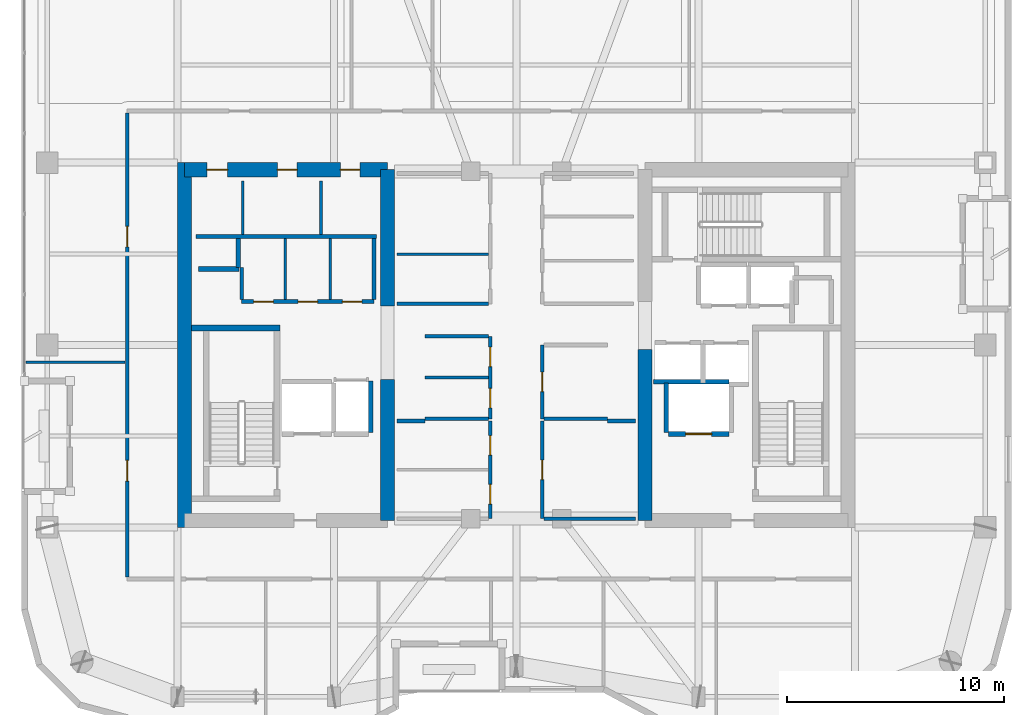
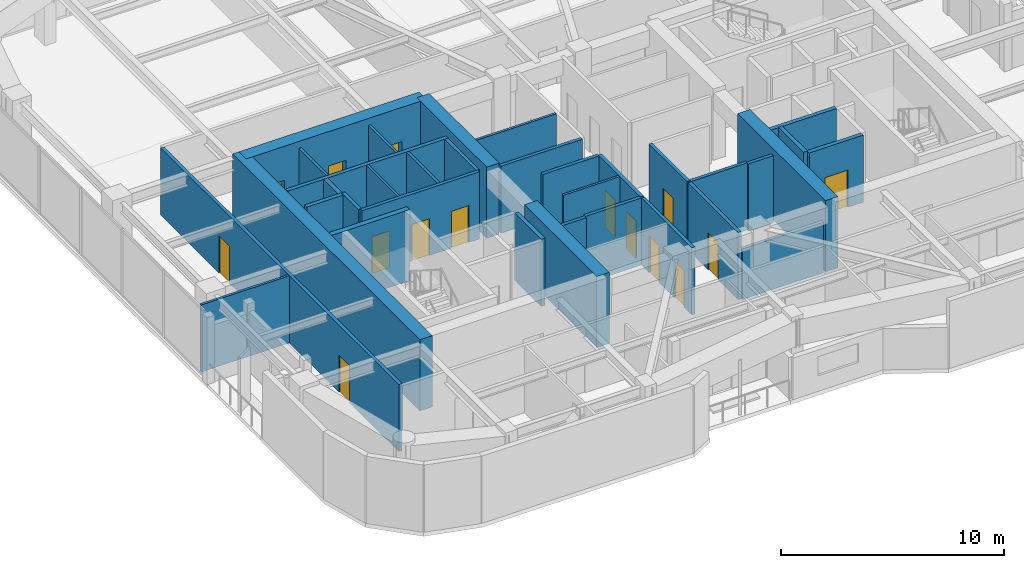
# One storey, part 16 of 21: 35 walls, 15 doors, 15 openings.
"""IFC4 building model written with IfcOpenShell, lengths in metres."""

from ifc_helpers import new_model, si_unit, direction, frame, frame_2d, origin, place, context, subcontext, project, spatial, rectangle, extrude, material, layer, layer_set, type_object, element, fill, save


model = new_model("IFC4")

# Units and contexts
model_context = context("Model", 3, precision=1e-05, world=origin(), true_north=direction((0.0, 1.0)))
body_context = subcontext(model_context, "Body", "Model", "MODEL_VIEW")
ifc_project = project(units=[si_unit("LENGTHUNIT", "METRE"), si_unit("AREAUNIT", "SQUARE_METRE"), si_unit("VOLUMEUNIT", "CUBIC_METRE"), si_unit("PLANEANGLEUNIT", "RADIAN"), si_unit("MASSUNIT", "GRAM", prefix="KILO")], contexts=[model_context])

# Site, building, storey
site_placement = place(None, origin())
site = spatial("IfcSite", under=ifc_project, at=site_placement, CompositionType="ELEMENT")
building_placement = place(site_placement, origin())
building = spatial("IfcBuilding", under=site, at=building_placement, Name="Kiyonajd Concourse Tower", CompositionType="ELEMENT")
storey_placement = place(building_placement, frame((0.0, 0.0, 247.199951171875)))
storey = spatial("IfcBuildingStorey", under=building, at=storey_placement, Name="L62", CompositionType="ELEMENT", Elevation=247.199951171875)

# Walls
ifc_material_1 = material(Name="Concrete C60/75", Category="concrete")
ifc_layer_1 = layer(ifc_material_1, 0.64990234375)
ifc_layer_set_1 = layer_set([ifc_layer_1], Name="Concrete C60/75")
wall_type_1 = type_object("IfcWallType", Name="WL-CORE-650", PredefinedType="SHEAR", material=ifc_layer_set_1)
wall_1_placement = place(storey_placement, frame((32.72509765625, 27.60009765625, 0.0), z_axis=(0.0, 0.0, 1.0), x_axis=(0.0, 1.0, 0.0)))
element("IfcWall", 1, at=wall_1_placement, inside=storey, type_object=wall_type_1, Name="L62 West Core Outer Shear Wall", PredefinedType="SHEAR", context=body_context, shape_type="SweptSolid", body=[
    extrude(rectangle(XDim=16.7998046875, YDim=0.64990234375, at=frame_2d((8.39990234375, 0.0))), origin(), (0.0, 0.0, 1.0), 3.900146484375),
])
wall_2_placement = place(storey_placement, frame((42.074951171875, 27.925048828125, 0.0), z_axis=(0.0, 0.0, 1.0), x_axis=(0.0, 1.0, 0.0)))
element("IfcWall", 2, at=wall_2_placement, inside=storey, type_object=wall_type_1, Name="L62 West Core Inner South Shear Wall", PredefinedType="SHEAR", context=body_context, shape_type="SweptSolid", body=[
    extrude(rectangle(XDim=6.474853515625, YDim=0.64990234375, at=frame_2d((3.2373046875, 0.0))), origin(), (0.0, 0.0, 1.0), 3.900146484375),
])
wall_3_placement = place(storey_placement, frame((42.074951171875, 37.800048828125, 0.0), z_axis=(0.0, 0.0, 1.0), x_axis=(0.0, 1.0, 0.0)))
element("IfcWall", 3, at=wall_3_placement, inside=storey, type_object=wall_type_1, Name="L62 West Core Inner North Shear Wall", PredefinedType="SHEAR", context=body_context, shape_type="SweptSolid", body=[
    extrude(rectangle(XDim=6.27490234375, YDim=0.64990234375, at=frame_2d((3.137451171875, 0.0))), origin(), (0.0, 0.0, 1.0), 3.900146484375),
])

# Wall, openings, doors
wall_4_placement = place(storey_placement, frame((32.72509765625, 44.074951171875, 0.0), z_axis=(0.0, 0.0, 1.0), x_axis=(1.0, 0.0, 0.0)))
wall_4 = element("IfcWall", 4, at=wall_4_placement, inside=storey, type_object=wall_type_1, Name="L62 West Core North Shear Wall", PredefinedType="SHEAR", context=body_context, shape_type="SweptSolid", body=[
    extrude(rectangle(XDim=9.349853515625, YDim=0.64990234375, at=frame_2d((4.6748046875, 0.0))), origin(), (0.0, 0.0, 1.0), 3.900146484375),
])
opening_1_placement = place(wall_4_placement, frame((1.02490234375, 0.0, 0.0)))
opening_1 = element("IfcOpeningElement", 5, at=opening_1_placement, cuts=wall_4, Name="Opening DI1", PredefinedType="OPENING", context=body_context, shape_type="SweptSolid", body=[
    extrude(rectangle(XDim=0.949951171875, YDim=2.0400390625, at=frame_2d((0.47509765625, 1.02001953125))), frame((0.0, 0.3349609375, 0.0), z_axis=(0.0, -1.0, 0.0), x_axis=(1.0, 0.0, 0.0)), (0.0, 0.0, 1.0), 0.669921875),
])
opening_2_placement = place(wall_4_placement, frame((4.27490234375, 0.0, 0.0)))
opening_2 = element("IfcOpeningElement", 6, at=opening_2_placement, cuts=wall_4, Name="Opening DI2", PredefinedType="OPENING", context=body_context, shape_type="SweptSolid", body=[
    extrude(rectangle(XDim=0.89990234375, YDim=2.02001953125, at=frame_2d((0.449951171875, 1.010009765625))), frame((0.0, 0.3349609375, 0.0), z_axis=(0.0, -1.0, 0.0), x_axis=(1.0, 0.0, 0.0)), (0.0, 0.0, 1.0), 0.669921875),
])
opening_3_placement = place(wall_4_placement, frame((7.175048828125, 0.0, 0.0)))
opening_3 = element("IfcOpeningElement", 7, at=opening_3_placement, cuts=wall_4, Name="Opening DI2", PredefinedType="OPENING", context=body_context, shape_type="SweptSolid", body=[
    extrude(rectangle(XDim=0.89990234375, YDim=2.02001953125, at=frame_2d((0.449951171875, 1.010009765625))), frame((0.0, 0.3349609375, 0.0), z_axis=(0.0, -1.0, 0.0), x_axis=(1.0, 0.0, 0.0)), (0.0, 0.0, 1.0), 0.669921875),
])
ifc_material_2 = material(Name="Natural Oak Acoustic Timber Veneer", Category="wood")
door_type_1 = type_object("IfcDoorType", Name="DR-INT-900", OperationType="NOTDEFINED", PredefinedType="DOOR", material=ifc_material_2)
door_1_placement = place(opening_2_placement, origin())
door_1 = element("IfcDoor", 8, at=door_1_placement, inside=storey, type_object=door_type_1, Name="L62 Male Restroom Door", OperationType="SINGLE_SWING_RIGHT", OverallHeight=2.02001953125, OverallWidth=0.89990234375, PredefinedType="DOOR", context=body_context, shape_type="SweptSolid", body=[
    extrude(rectangle(XDim=0.89990234375, YDim=2.02001953125, at=frame_2d((0.449951171875, 1.010009765625))), frame((0.0, 0.02490234375, 0.0), z_axis=(0.0, -1.0, 0.0), x_axis=(1.0, 0.0, 0.0)), (0.0, 0.0, 1.0), 0.050048828125),
])
fill(opening_2, door_1)
door_2_placement = place(opening_3_placement, origin())
door_2 = element("IfcDoor", 9, at=door_2_placement, inside=storey, type_object=door_type_1, Name="L62 Female Restroom Door", OperationType="SINGLE_SWING_LEFT", OverallHeight=2.02001953125, OverallWidth=0.89990234375, PredefinedType="DOOR", context=body_context, shape_type="SweptSolid", body=[
    extrude(rectangle(XDim=0.89990234375, YDim=2.02001953125, at=frame_2d((0.449951171875, 1.010009765625))), frame((0.0, 0.02490234375, 0.0), z_axis=(0.0, -1.0, 0.0), x_axis=(1.0, 0.0, 0.0)), (0.0, 0.0, 1.0), 0.050048828125),
])
fill(opening_3, door_2)
door_type_2 = type_object("IfcDoorType", Name="DR-INT-950", OperationType="NOTDEFINED", PredefinedType="DOOR", material=ifc_material_2)
door_3_placement = place(opening_1_placement, origin())
door_3 = element("IfcDoor", 10, at=door_3_placement, inside=storey, type_object=door_type_2, Name="L62 Single User Accessible WC Door", OperationType="SINGLE_SWING_LEFT", OverallHeight=2.0400390625, OverallWidth=0.949951171875, PredefinedType="DOOR", context=body_context, shape_type="SweptSolid", body=[
    extrude(rectangle(XDim=0.949951171875, YDim=2.0400390625, at=frame_2d((0.47509765625, 1.02001953125))), frame((0.0, 0.02490234375, 0.0), z_axis=(0.0, -1.0, 0.0), x_axis=(1.0, 0.0, 0.0)), (0.0, 0.0, 1.0), 0.050048828125),
])
fill(opening_1, door_3)

# Walls
wall_5_placement = place(storey_placement, frame((53.925048828125, 27.925048828125, 0.0), z_axis=(0.0, 0.0, 1.0), x_axis=(0.0, 1.0, 0.0)))
element("IfcWall", 11, at=wall_5_placement, inside=storey, type_object=wall_type_1, Name="L62 East Core Inner South Shear Wall", PredefinedType="SHEAR", context=body_context, shape_type="SweptSolid", body=[
    extrude(rectangle(XDim=7.875, YDim=0.64990234375, at=frame_2d((3.9375, 0.0))), origin(), (0.0, 0.0, 1.0), 3.900146484375),
])
ifc_material_3 = material(Name="Gypsum Board on Cold-Formed Steel Stud", Category="steel")
ifc_layer_2 = layer(ifc_material_3, 0.125)
ifc_layer_set_2 = layer_set([ifc_layer_2], Name="Gypsum Board on Cold-Formed Steel Stud")
wall_type_2 = type_object("IfcWallType", Name="WL-PART-125", PredefinedType="PARTITIONING", material=ifc_layer_set_2)
for number, where, z_axis, x_axis, name in (
    (12, (35.39990234375, 41.094970703125, 0.0), (0.0, 0.0, 1.0), (0.0, 1.0, 0.0), "L62 Interior Partition Wall"),
    (13, (39.0, 41.094970703125, 0.0), (0.0, 0.0, 1.0), (0.0, 1.0, 0.0), "L62 Interior Partition Wall"),
):
    element("IfcWall", number, at=place(storey_placement, frame(where, z_axis=z_axis, x_axis=x_axis)), inside=storey, type_object=wall_type_2, Name=name, PredefinedType="PARTITIONING", context=body_context, shape_type="SweptSolid", body=[
        extrude(rectangle(XDim=2.455078125, YDim=0.125, at=frame_2d((1.2275390625, 0.0))), origin(), (0.0, 0.0, 1.0), 3.679931640625),
    ])
for number, where, z_axis, x_axis, name in (
    (14, (37.363037109375, 38.0869140625, 0.0), (0.0, 0.0, 1.0), (0.0, 1.0, 0.0), "L62 Interior Partition Wall"),
    (15, (39.43701171875, 38.0869140625, 0.0), (0.0, 0.0, 1.0), (0.0, 1.0, 0.0), "L62 Interior Partition Wall"),
):
    element("IfcWall", number, at=place(storey_placement, frame(where, z_axis=z_axis, x_axis=x_axis)), inside=storey, type_object=wall_type_2, Name=name, PredefinedType="PARTITIONING", context=body_context, shape_type="SweptSolid", body=[
        extrude(rectangle(XDim=2.81298828125, YDim=0.125, at=frame_2d((1.406494140625, 0.0))), origin(), (0.0, 0.0, 1.0), 3.679931640625),
    ])
wall_6_placement = place(storey_placement, frame((43.800048828125, 34.5, 0.0), z_axis=(0.0, 0.0, 1.0), x_axis=(1.0, 0.0, 0.0)))
element("IfcWall", 16, at=wall_6_placement, inside=storey, type_object=wall_type_2, Name="L62 Interior Partition Wall", PredefinedType="PARTITIONING", context=body_context, shape_type="SweptSolid", body=[
    extrude(rectangle(XDim=2.912841796875, YDim=0.125, at=frame_2d((1.45654296875, 0.0))), origin(), (0.0, 0.0, 1.0), 3.679931640625),
])
wall_7_placement = place(storey_placement, frame((42.5, 40.179931640625, 0.0), z_axis=(0.0, 0.0, 1.0), x_axis=(1.0, 0.0, 0.0)))
element("IfcWall", 17, at=wall_7_placement, inside=storey, type_object=wall_type_2, Name="L62 Interior Partition Wall", PredefinedType="PARTITIONING", context=body_context, shape_type="SweptSolid", body=[
    extrude(rectangle(XDim=4.212890625, YDim=0.125, at=frame_2d((2.1064453125, 0.0))), origin(), (0.0, 0.0, 1.0), 3.679931640625),
])
wall_8_placement = place(storey_placement, frame((25.425048828125, 35.199951171875, 0.0), z_axis=(0.0, 0.0, 1.0), x_axis=(1.0, 0.0, 0.0)))
element("IfcWall", 18, at=wall_8_placement, inside=storey, type_object=wall_type_2, Name="L62 Interior Partition Wall", PredefinedType="PARTITIONING", context=body_context, shape_type="SweptSolid", body=[
    extrude(rectangle(XDim=4.56298828125, YDim=0.125, at=frame_2d((2.281494140625, 0.0))), origin(), (0.0, 0.0, 1.0), 3.679931640625),
])
ifc_layer_3 = layer(ifc_material_3, 0.18994140625)
ifc_layer_set_3 = layer_set([ifc_layer_3], Name="Gypsum Board on Cold-Formed Steel Stud")
wall_type_3 = type_object("IfcWallType", Name="WL-PLMB-190", PredefinedType="PLUMBINGWALL", material=ifc_layer_set_3)
wall_9_placement = place(storey_placement, frame((33.25, 41.0, 0.0), z_axis=(0.0, 0.0, 1.0), x_axis=(1.0, 0.0, 0.0)))
element("IfcWall", 19, at=wall_9_placement, inside=storey, type_object=wall_type_3, Name="L62 Interior Partition Wall", PredefinedType="PLUMBINGWALL", context=body_context, shape_type="SweptSolid", body=[
    extrude(rectangle(XDim=8.300048828125, YDim=0.18994140625, at=frame_2d((4.14990234375, 0.0))), origin(), (0.0, 0.0, 1.0), 3.679931640625),
])
ifc_layer_4 = layer(ifc_material_3, 0.2099609375)
ifc_layer_set_4 = layer_set([ifc_layer_4], Name="Gypsum Board on Cold-Formed Steel Stud")
wall_type_4 = type_object("IfcWallType", Name="WL-SHAFT-210", PredefinedType="PARTITIONING", material=ifc_layer_set_4)
wall_10_placement = place(storey_placement, frame((33.360107421875, 39.5, 0.0), z_axis=(0.0, 0.0, 1.0), x_axis=(1.0, 0.0, 0.0)))
element("IfcWall", 20, at=wall_10_placement, inside=storey, type_object=wall_type_4, Name="L62 Shaft Enclosure Wall", PredefinedType="PARTITIONING", context=body_context, shape_type="SweptSolid", body=[
    extrude(rectangle(XDim=1.85986328125, YDim=0.2099609375, at=frame_2d((0.929931640625, 0.0))), origin(), (0.0, 0.0, 1.0), 3.679931640625),
])
wall_11_placement = place(storey_placement, frame((35.199951171875, 39.580078125, 0.0), z_axis=(0.0, 0.0, 1.0), x_axis=(0.0, 1.0, 0.0)))
element("IfcWall", 21, at=wall_11_placement, inside=storey, type_object=wall_type_4, Name="L62 Shaft Enclosure Wall", PredefinedType="PARTITIONING", context=body_context, shape_type="SweptSolid", body=[
    extrude(rectangle(XDim=1.31982421875, YDim=0.2099609375, at=frame_2d((0.659912109375, 0.0))), origin(), (0.0, 0.0, 1.0), 3.679931640625),
])

# Wall, opening, door
wall_12_placement = place(storey_placement, frame((55.0, 31.89990234375, 0.0), z_axis=(0.0, 0.0, 1.0), x_axis=(1.0, 0.0, 0.0)))
wall_12 = element("IfcWall", 22, at=wall_12_placement, inside=storey, type_object=wall_type_4, Name="L62 Shaft Enclosure Wall", PredefinedType="PARTITIONING", context=body_context, shape_type="SweptSolid", body=[
    extrude(rectangle(XDim=2.800048828125, YDim=0.2099609375, at=frame_2d((1.39990234375, 0.0))), origin(), (0.0, 0.0, 1.0), 3.679931640625),
])
opening_4_placement = place(wall_12_placement, frame((0.800048828125, 0.0, 0.0)))
opening_4 = element("IfcOpeningElement", 23, at=opening_4_placement, cuts=wall_12, Name="Opening LD2", PredefinedType="OPENING", context=body_context, shape_type="SweptSolid", body=[
    extrude(rectangle(XDim=1.199951171875, YDim=2.0400390625, at=frame_2d((0.60009765625, 1.02001953125))), frame((0.0, 0.114990234375, 0.0), z_axis=(0.0, -1.0, 0.0), x_axis=(1.0, 0.0, 0.0)), (0.0, 0.0, 1.0), 0.22998046875),
])
ifc_material_4 = material(Name="Brushed Stainless Steel Cab Assembly", Category="steel")
door_type_3 = type_object("IfcDoorType", Name="DR-LD-1200", OperationType="DOUBLE_DOOR_SLIDING", PredefinedType="DOOR", material=ifc_material_4)
door_4_placement = place(opening_4_placement, origin())
door_4 = element("IfcDoor", 24, at=door_4_placement, inside=storey, type_object=door_type_3, Name="L62 Lift FFL2 Sliding Landing Door", OperationType="DOUBLE_DOOR_SLIDING", OverallHeight=2.0400390625, OverallWidth=1.199951171875, PredefinedType="DOOR", context=body_context, shape_type="SweptSolid", body=[
    extrude(rectangle(XDim=1.199951171875, YDim=2.0400390625, at=frame_2d((0.60009765625, 1.02001953125))), frame((0.0, 0.02490234375, 0.0), z_axis=(0.0, -1.0, 0.0), x_axis=(1.0, 0.0, 0.0)), (0.0, 0.0, 1.0), 0.050048828125),
])
fill(opening_4, door_4)

# Walls
wall_13_placement = place(storey_placement, frame((54.320068359375, 34.300048828125, 0.0), z_axis=(0.0, 0.0, 1.0), x_axis=(1.0, 0.0, 0.0)))
element("IfcWall", 25, at=wall_13_placement, inside=storey, type_object=wall_type_4, Name="L62 Shaft Enclosure Wall", PredefinedType="PARTITIONING", context=body_context, shape_type="SweptSolid", body=[
    extrude(rectangle(XDim=3.47998046875, YDim=0.2099609375, at=frame_2d((1.739990234375, 0.0))), origin(), (0.0, 0.0, 1.0), 3.679931640625),
])
wall_14_placement = place(storey_placement, frame((54.89990234375, 31.9599609375, 0.0), z_axis=(0.0, 0.0, 1.0), x_axis=(0.0, 1.0, 0.0)))
element("IfcWall", 26, at=wall_14_placement, inside=storey, type_object=wall_type_4, Name="L62 Shaft Enclosure Wall", PredefinedType="PARTITIONING", context=body_context, shape_type="SweptSolid", body=[
    extrude(rectangle(XDim=2.280029296875, YDim=0.2099609375, at=frame_2d((1.14013671875, 0.0))), origin(), (0.0, 0.0, 1.0), 3.679931640625),
])
wall_15_placement = place(storey_placement, frame((41.300048828125, 31.9599609375, 0.0), z_axis=(0.0, 0.0, 1.0), x_axis=(0.0, 1.0, 0.0)))
element("IfcWall", 27, at=wall_15_placement, inside=storey, type_object=wall_type_4, Name="L62 Shaft Enclosure Wall", PredefinedType="PARTITIONING", context=body_context, shape_type="SweptSolid", body=[
    extrude(rectangle(XDim=2.380126953125, YDim=0.2099609375, at=frame_2d((1.18994140625, 0.0))), origin(), (0.0, 0.0, 1.0), 3.679931640625),
])

# Wall, openings, doors
ifc_layer_5 = layer(ifc_material_3, 0.169921875)
ifc_layer_set_5 = layer_set([ifc_layer_5], Name="Gypsum Board on Cold-Formed Steel Stud")
wall_type_5 = type_object("IfcWallType", Name="WL-SMK-170", PredefinedType="PARTITIONING", material=ifc_layer_set_5)
wall_16_placement = place(storey_placement, frame((35.35009765625, 38.0, 0.0), z_axis=(0.0, 0.0, 1.0), x_axis=(1.0, 0.0, 0.0)))
wall_16 = element("IfcWall", 28, at=wall_16_placement, inside=storey, type_object=wall_type_5, Name="L62 Interior Partition Wall", PredefinedType="PARTITIONING", context=body_context, shape_type="SweptSolid", body=[
    extrude(rectangle(XDim=6.099853515625, YDim=0.169921875, at=frame_2d((3.0498046875, 0.0))), origin(), (0.0, 0.0, 1.0), 3.679931640625),
])
opening_5_placement = place(wall_16_placement, frame((0.555908203125, 0.0, 0.0)))
opening_5 = element("IfcOpeningElement", 29, at=opening_5_placement, cuts=wall_16, Name="Opening DI2", PredefinedType="OPENING", context=body_context, shape_type="SweptSolid", body=[
    extrude(rectangle(XDim=0.89990234375, YDim=2.02001953125, at=frame_2d((0.449951171875, 1.010009765625))), frame((0.0, 0.094970703125, 0.0), z_axis=(0.0, -1.0, 0.0), x_axis=(1.0, 0.0, 0.0)), (0.0, 0.0, 1.0), 0.18994140625),
])
opening_6_placement = place(wall_16_placement, frame((2.60009765625, 0.0, 0.0)))
opening_6 = element("IfcOpeningElement", 30, at=opening_6_placement, cuts=wall_16, Name="Opening DI2", PredefinedType="OPENING", context=body_context, shape_type="SweptSolid", body=[
    extrude(rectangle(XDim=0.89990234375, YDim=2.02001953125, at=frame_2d((0.449951171875, 1.010009765625))), frame((0.0, 0.094970703125, 0.0), z_axis=(0.0, -1.0, 0.0), x_axis=(1.0, 0.0, 0.0)), (0.0, 0.0, 1.0), 0.18994140625),
])
opening_7_placement = place(wall_16_placement, frame((4.64306640625, 0.0, 0.0)))
opening_7 = element("IfcOpeningElement", 31, at=opening_7_placement, cuts=wall_16, Name="Opening DI2", PredefinedType="OPENING", context=body_context, shape_type="SweptSolid", body=[
    extrude(rectangle(XDim=0.89990234375, YDim=2.02001953125, at=frame_2d((0.449951171875, 1.010009765625))), frame((0.0, 0.094970703125, 0.0), z_axis=(0.0, -1.0, 0.0), x_axis=(1.0, 0.0, 0.0)), (0.0, 0.0, 1.0), 0.18994140625),
])
door_5_placement = place(opening_5_placement, origin())
door_5 = element("IfcDoor", 32, at=door_5_placement, inside=storey, type_object=door_type_1, Name="L62 Interior Door", OperationType="SINGLE_SWING_RIGHT", OverallHeight=2.02001953125, OverallWidth=0.89990234375, PredefinedType="DOOR", context=body_context, shape_type="SweptSolid", body=[
    extrude(rectangle(XDim=0.89990234375, YDim=2.02001953125, at=frame_2d((0.449951171875, 1.010009765625))), frame((0.0, 0.02490234375, 0.0), z_axis=(0.0, -1.0, 0.0), x_axis=(1.0, 0.0, 0.0)), (0.0, 0.0, 1.0), 0.050048828125),
])
fill(opening_5, door_5)
door_6_placement = place(opening_6_placement, origin())
door_6 = element("IfcDoor", 33, at=door_6_placement, inside=storey, type_object=door_type_1, Name="L62 Interior Door", OperationType="SINGLE_SWING_LEFT", OverallHeight=2.02001953125, OverallWidth=0.89990234375, PredefinedType="DOOR", context=body_context, shape_type="SweptSolid", body=[
    extrude(rectangle(XDim=0.89990234375, YDim=2.02001953125, at=frame_2d((0.449951171875, 1.010009765625))), frame((0.0, 0.02490234375, 0.0), z_axis=(0.0, -1.0, 0.0), x_axis=(1.0, 0.0, 0.0)), (0.0, 0.0, 1.0), 0.050048828125),
])
fill(opening_6, door_6)
door_7_placement = place(opening_7_placement, origin())
door_7 = element("IfcDoor", 34, at=door_7_placement, inside=storey, type_object=door_type_1, Name="L62 Interior Door", OperationType="SINGLE_SWING_RIGHT", OverallHeight=2.02001953125, OverallWidth=0.89990234375, PredefinedType="DOOR", context=body_context, shape_type="SweptSolid", body=[
    extrude(rectangle(XDim=0.89990234375, YDim=2.02001953125, at=frame_2d((0.449951171875, 1.010009765625))), frame((0.0, 0.02490234375, 0.0), z_axis=(0.0, -1.0, 0.0), x_axis=(1.0, 0.0, 0.0)), (0.0, 0.0, 1.0), 0.050048828125),
])
fill(opening_7, door_7)

# Walls
wall_17_placement = place(storey_placement, frame((35.35009765625, 38.0869140625, 0.0), z_axis=(0.0, 0.0, 1.0), x_axis=(0.0, 1.0, 0.0)))
element("IfcWall", 35, at=wall_17_placement, inside=storey, type_object=wall_type_5, Name="L62 Interior Partition Wall", PredefinedType="PARTITIONING", context=body_context, shape_type="SweptSolid", body=[
    extrude(rectangle(XDim=1.4931640625, YDim=0.169921875, at=frame_2d((0.74658203125, 0.0))), origin(), (0.0, 0.0, 1.0), 3.679931640625),
])
wall_18_placement = place(storey_placement, frame((41.449951171875, 38.0869140625, 0.0), z_axis=(0.0, 0.0, 1.0), x_axis=(0.0, 1.0, 0.0)))
element("IfcWall", 36, at=wall_18_placement, inside=storey, type_object=wall_type_5, Name="L62 Interior Partition Wall", PredefinedType="PARTITIONING", context=body_context, shape_type="SweptSolid", body=[
    extrude(rectangle(XDim=2.81298828125, YDim=0.169921875, at=frame_2d((1.406494140625, 0.0))), origin(), (0.0, 0.0, 1.0), 3.679931640625),
])

# Wall, openings, doors
wall_19_placement = place(storey_placement, frame((46.800048828125, 32.60009765625, 0.0), z_axis=(0.0, 0.0, 1.0), x_axis=(0.0, 1.0, 0.0)))
wall_19 = element("IfcWall", 37, at=wall_19_placement, inside=storey, type_object=wall_type_5, Name="L62 Interior Partition Wall", PredefinedType="PARTITIONING", context=body_context, shape_type="SweptSolid", body=[
    extrude(rectangle(XDim=3.7998046875, YDim=0.169921875, at=frame_2d((1.89990234375, 0.0))), origin(), (0.0, 0.0, 1.0), 3.679931640625),
])
opening_8_placement = place(wall_19_placement, frame((0.5, 0.0, 0.0)))
opening_8 = element("IfcOpeningElement", 38, at=opening_8_placement, cuts=wall_19, Name="Opening DI2", PredefinedType="OPENING", context=body_context, shape_type="SweptSolid", body=[
    extrude(rectangle(XDim=0.89990234375, YDim=2.02001953125, at=frame_2d((0.449951171875, 1.010009765625))), frame((0.0, 0.094970703125, 0.0), z_axis=(0.0, -1.0, 0.0), x_axis=(1.0, 0.0, 0.0)), (0.0, 0.0, 1.0), 0.18994140625),
])
opening_9_placement = place(wall_19_placement, frame((2.39990234375, 0.0, 0.0)))
opening_9 = element("IfcOpeningElement", 39, at=opening_9_placement, cuts=wall_19, Name="Opening DI2", PredefinedType="OPENING", context=body_context, shape_type="SweptSolid", body=[
    extrude(rectangle(XDim=0.89990234375, YDim=2.02001953125, at=frame_2d((0.449951171875, 1.010009765625))), frame((0.0, 0.094970703125, 0.0), z_axis=(0.0, -1.0, 0.0), x_axis=(1.0, 0.0, 0.0)), (0.0, 0.0, 1.0), 0.18994140625),
])
door_8_placement = place(opening_8_placement, origin())
door_8 = element("IfcDoor", 40, at=door_8_placement, inside=storey, type_object=door_type_1, Name="L62 Interior Door", OperationType="SINGLE_SWING_LEFT", OverallHeight=2.02001953125, OverallWidth=0.89990234375, PredefinedType="DOOR", context=body_context, shape_type="SweptSolid", body=[
    extrude(rectangle(XDim=0.89990234375, YDim=2.02001953125, at=frame_2d((0.449951171875, 1.010009765625))), frame((0.0, 0.02490234375, 0.0), z_axis=(0.0, -1.0, 0.0), x_axis=(1.0, 0.0, 0.0)), (0.0, 0.0, 1.0), 0.050048828125),
])
fill(opening_8, door_8)
door_9_placement = place(opening_9_placement, origin())
door_9 = element("IfcDoor", 41, at=door_9_placement, inside=storey, type_object=door_type_1, Name="L62 Interior Door", OperationType="SINGLE_SWING_RIGHT", OverallHeight=2.02001953125, OverallWidth=0.89990234375, PredefinedType="DOOR", context=body_context, shape_type="SweptSolid", body=[
    extrude(rectangle(XDim=0.89990234375, YDim=2.02001953125, at=frame_2d((0.449951171875, 1.010009765625))), frame((0.0, 0.02490234375, 0.0), z_axis=(0.0, -1.0, 0.0), x_axis=(1.0, 0.0, 0.0)), (0.0, 0.0, 1.0), 0.050048828125),
])
fill(opening_9, door_9)

# Walls
for number, where, z_axis, x_axis, name in (
    (42, (43.800048828125, 32.60009765625, 0.0), (0.0, 0.0, 1.0), (1.0, 0.0, 0.0), "L62 Interior Partition Wall"),
    (43, (43.800048828125, 36.39990234375, 0.0), (0.0, 0.0, 1.0), (1.0, 0.0, 0.0), "L62 Interior Partition Wall"),
):
    element("IfcWall", number, at=place(storey_placement, frame(where, z_axis=z_axis, x_axis=x_axis)), inside=storey, type_object=wall_type_5, Name=name, PredefinedType="PARTITIONING", context=body_context, shape_type="SweptSolid", body=[
        extrude(rectangle(XDim=2.912841796875, YDim=0.169921875, at=frame_2d((1.45654296875, 0.0))), origin(), (0.0, 0.0, 1.0), 3.679931640625),
    ])

# Wall, opening, door
wall_20_placement = place(storey_placement, frame((49.199951171875, 32.60009765625, 0.0), z_axis=(0.0, 0.0, 1.0), x_axis=(0.0, 1.0, 0.0)))
wall_20 = element("IfcWall", 44, at=wall_20_placement, inside=storey, type_object=wall_type_5, Name="L62 Interior Partition Wall", PredefinedType="PARTITIONING", context=body_context, shape_type="SweptSolid", body=[
    extrude(rectangle(XDim=3.39990234375, YDim=0.169921875, at=frame_2d((1.699951171875, 0.0))), origin(), (0.0, 0.0, 1.0), 3.679931640625),
])
opening_10_placement = place(wall_20_placement, frame((1.25, 0.0, 0.0)))
opening_10 = element("IfcOpeningElement", 45, at=opening_10_placement, cuts=wall_20, Name="Opening DI2", PredefinedType="OPENING", context=body_context, shape_type="SweptSolid", body=[
    extrude(rectangle(XDim=0.89990234375, YDim=2.02001953125, at=frame_2d((0.449951171875, 1.010009765625))), frame((0.0, 0.094970703125, 0.0), z_axis=(0.0, -1.0, 0.0), x_axis=(1.0, 0.0, 0.0)), (0.0, 0.0, 1.0), 0.18994140625),
])
door_10_placement = place(opening_10_placement, origin())
door_10 = element("IfcDoor", 46, at=door_10_placement, inside=storey, type_object=door_type_1, Name="L62 Interior Door", OperationType="SINGLE_SWING_LEFT", OverallHeight=2.02001953125, OverallWidth=0.89990234375, PredefinedType="DOOR", context=body_context, shape_type="SweptSolid", body=[
    extrude(rectangle(XDim=0.89990234375, YDim=2.02001953125, at=frame_2d((0.449951171875, 1.010009765625))), frame((0.0, 0.02490234375, 0.0), z_axis=(0.0, -1.0, 0.0), x_axis=(1.0, 0.0, 0.0)), (0.0, 0.0, 1.0), 0.050048828125),
])
fill(opening_10, door_10)

# Wall
wall_21_placement = place(storey_placement, frame((49.287109375, 32.60009765625, 0.0), z_axis=(0.0, 0.0, 1.0), x_axis=(1.0, 0.0, 0.0)))
element("IfcWall", 47, at=wall_21_placement, inside=storey, type_object=wall_type_5, Name="L62 Interior Partition Wall", PredefinedType="PARTITIONING", context=body_context, shape_type="SweptSolid", body=[
    extrude(rectangle(XDim=2.912841796875, YDim=0.169921875, at=frame_2d((1.45654296875, 0.0))), origin(), (0.0, 0.0, 1.0), 3.679931640625),
])

# Wall, openings, doors
wall_22_placement = place(storey_placement, frame((46.800048828125, 28.0, 0.0), z_axis=(0.0, 0.0, 1.0), x_axis=(0.0, 1.0, 0.0)))
wall_22 = element("IfcWall", 48, at=wall_22_placement, inside=storey, type_object=wall_type_5, Name="L62 Interior Partition Wall", PredefinedType="PARTITIONING", context=body_context, shape_type="SweptSolid", body=[
    extrude(rectangle(XDim=4.5, YDim=0.169921875, at=frame_2d((2.25, 0.0))), origin(), (0.0, 0.0, 1.0), 3.679931640625),
])
opening_11_placement = place(wall_22_placement, frame((0.675048828125, 0.0, 0.0)))
opening_11 = element("IfcOpeningElement", 49, at=opening_11_placement, cuts=wall_22, Name="Opening DI2", PredefinedType="OPENING", context=body_context, shape_type="SweptSolid", body=[
    extrude(rectangle(XDim=0.89990234375, YDim=2.02001953125, at=frame_2d((0.449951171875, 1.010009765625))), frame((0.0, 0.094970703125, 0.0), z_axis=(0.0, -1.0, 0.0), x_axis=(1.0, 0.0, 0.0)), (0.0, 0.0, 1.0), 0.18994140625),
])
opening_12_placement = place(wall_22_placement, frame((2.925048828125, 0.0, 0.0)))
opening_12 = element("IfcOpeningElement", 50, at=opening_12_placement, cuts=wall_22, Name="Opening DI2", PredefinedType="OPENING", context=body_context, shape_type="SweptSolid", body=[
    extrude(rectangle(XDim=0.89990234375, YDim=2.02001953125, at=frame_2d((0.449951171875, 1.010009765625))), frame((0.0, 0.094970703125, 0.0), z_axis=(0.0, -1.0, 0.0), x_axis=(1.0, 0.0, 0.0)), (0.0, 0.0, 1.0), 0.18994140625),
])
door_11_placement = place(opening_11_placement, origin())
door_11 = element("IfcDoor", 51, at=door_11_placement, inside=storey, type_object=door_type_1, Name="L62 Interior Door", OperationType="SINGLE_SWING_RIGHT", OverallHeight=2.02001953125, OverallWidth=0.89990234375, PredefinedType="DOOR", context=body_context, shape_type="SweptSolid", body=[
    extrude(rectangle(XDim=0.89990234375, YDim=2.02001953125, at=frame_2d((0.449951171875, 1.010009765625))), frame((0.0, 0.02490234375, 0.0), z_axis=(0.0, -1.0, 0.0), x_axis=(1.0, 0.0, 0.0)), (0.0, 0.0, 1.0), 0.050048828125),
])
fill(opening_11, door_11)
door_12_placement = place(opening_12_placement, origin())
door_12 = element("IfcDoor", 52, at=door_12_placement, inside=storey, type_object=door_type_1, Name="L62 Interior Door", OperationType="SINGLE_SWING_LEFT", OverallHeight=2.02001953125, OverallWidth=0.89990234375, PredefinedType="DOOR", context=body_context, shape_type="SweptSolid", body=[
    extrude(rectangle(XDim=0.89990234375, YDim=2.02001953125, at=frame_2d((0.449951171875, 1.010009765625))), frame((0.0, 0.02490234375, 0.0), z_axis=(0.0, -1.0, 0.0), x_axis=(1.0, 0.0, 0.0)), (0.0, 0.0, 1.0), 0.050048828125),
])
fill(opening_12, door_12)

# Wall
wall_23_placement = place(storey_placement, frame((42.5, 32.5, 0.0), z_axis=(0.0, 0.0, 1.0), x_axis=(1.0, 0.0, 0.0)))
element("IfcWall", 53, at=wall_23_placement, inside=storey, type_object=wall_type_5, Name="L62 Interior Partition Wall", PredefinedType="PARTITIONING", context=body_context, shape_type="SweptSolid", body=[
    extrude(rectangle(XDim=1.300048828125, YDim=0.169921875, at=frame_2d((0.64990234375, 0.0))), origin(), (0.0, 0.0, 1.0), 3.679931640625),
])

# Wall, opening, door
wall_24_placement = place(storey_placement, frame((49.199951171875, 28.0, 0.0), z_axis=(0.0, 0.0, 1.0), x_axis=(0.0, 1.0, 0.0)))
wall_24 = element("IfcWall", 54, at=wall_24_placement, inside=storey, type_object=wall_type_5, Name="L62 Interior Partition Wall", PredefinedType="PARTITIONING", context=body_context, shape_type="SweptSolid", body=[
    extrude(rectangle(XDim=4.5, YDim=0.169921875, at=frame_2d((2.25, 0.0))), origin(), (0.0, 0.0, 1.0), 3.679931640625),
])
opening_13_placement = place(wall_24_placement, frame((1.800048828125, 0.0, 0.0)))
opening_13 = element("IfcOpeningElement", 55, at=opening_13_placement, cuts=wall_24, Name="Opening DI2", PredefinedType="OPENING", context=body_context, shape_type="SweptSolid", body=[
    extrude(rectangle(XDim=0.89990234375, YDim=2.02001953125, at=frame_2d((0.449951171875, 1.010009765625))), frame((0.0, 0.094970703125, 0.0), z_axis=(0.0, -1.0, 0.0), x_axis=(1.0, 0.0, 0.0)), (0.0, 0.0, 1.0), 0.18994140625),
])
door_13_placement = place(opening_13_placement, origin())
door_13 = element("IfcDoor", 56, at=door_13_placement, inside=storey, type_object=door_type_1, Name="L62 Interior Door", OperationType="SINGLE_SWING_RIGHT", OverallHeight=2.02001953125, OverallWidth=0.89990234375, PredefinedType="DOOR", context=body_context, shape_type="SweptSolid", body=[
    extrude(rectangle(XDim=0.89990234375, YDim=2.02001953125, at=frame_2d((0.449951171875, 1.010009765625))), frame((0.0, 0.02490234375, 0.0), z_axis=(0.0, -1.0, 0.0), x_axis=(1.0, 0.0, 0.0)), (0.0, 0.0, 1.0), 0.050048828125),
])
fill(opening_13, door_13)

# Walls
wall_25_placement = place(storey_placement, frame((49.287109375, 28.0, 0.0), z_axis=(0.0, 0.0, 1.0), x_axis=(1.0, 0.0, 0.0)))
element("IfcWall", 57, at=wall_25_placement, inside=storey, type_object=wall_type_5, Name="L62 Interior Partition Wall", PredefinedType="PARTITIONING", context=body_context, shape_type="SweptSolid", body=[
    extrude(rectangle(XDim=4.212890625, YDim=0.169921875, at=frame_2d((2.1064453125, 0.0))), origin(), (0.0, 0.0, 1.0), 2.76513671875),
])
wall_26_placement = place(storey_placement, frame((52.199951171875, 32.5, 0.0), z_axis=(0.0, 0.0, 1.0), x_axis=(1.0, 0.0, 0.0)))
element("IfcWall", 58, at=wall_26_placement, inside=storey, type_object=wall_type_5, Name="L62 Interior Partition Wall", PredefinedType="PARTITIONING", context=body_context, shape_type="SweptSolid", body=[
    extrude(rectangle(XDim=1.300048828125, YDim=0.169921875, at=frame_2d((0.64990234375, 0.0))), origin(), (0.0, 0.0, 1.0), 3.679931640625),
])
wall_27_placement = place(storey_placement, frame((42.5, 37.89990234375, 0.0), z_axis=(0.0, 0.0, 1.0), x_axis=(1.0, 0.0, 0.0)))
element("IfcWall", 59, at=wall_27_placement, inside=storey, type_object=wall_type_5, Name="L62 Interior Partition Wall", PredefinedType="PARTITIONING", context=body_context, shape_type="SweptSolid", body=[
    extrude(rectangle(XDim=4.212890625, YDim=0.169921875, at=frame_2d((2.1064453125, 0.0))), origin(), (0.0, 0.0, 1.0), 3.679931640625),
])

# Wall, openings, doors
wall_28_placement = place(storey_placement, frame((30.074951171875, 25.306884765625, 0.0), z_axis=(0.0, 0.0, 1.0), x_axis=(0.0, 1.0, 0.0)))
wall_28 = element("IfcWall", 60, at=wall_28_placement, inside=storey, type_object=wall_type_5, Name="L62 Interior Partition Wall", PredefinedType="PARTITIONING", context=body_context, shape_type="SweptSolid", body=[
    extrude(rectangle(XDim=21.38623046875, YDim=0.169921875, at=frame_2d((10.693115234375, 0.0))), origin(), (0.0, 0.0, 1.0), 3.679931640625),
])
opening_14_placement = place(wall_28_placement, frame((4.427978515625, 0.0, 0.0)))
opening_14 = element("IfcOpeningElement", 61, at=opening_14_placement, cuts=wall_28, Name="Opening DI1", PredefinedType="OPENING", context=body_context, shape_type="SweptSolid", body=[
    extrude(rectangle(XDim=0.949951171875, YDim=2.0400390625, at=frame_2d((0.47509765625, 1.02001953125))), frame((0.0, 0.094970703125, 0.0), z_axis=(0.0, -1.0, 0.0), x_axis=(1.0, 0.0, 0.0)), (0.0, 0.0, 1.0), 0.18994140625),
])
opening_15_placement = place(wall_28_placement, frame((15.2080078125, 0.0, 0.0)))
opening_15 = element("IfcOpeningElement", 62, at=opening_15_placement, cuts=wall_28, Name="Opening DI1", PredefinedType="OPENING", context=body_context, shape_type="SweptSolid", body=[
    extrude(rectangle(XDim=0.949951171875, YDim=2.0400390625, at=frame_2d((0.47509765625, 1.02001953125))), frame((0.0, 0.094970703125, 0.0), z_axis=(0.0, -1.0, 0.0), x_axis=(1.0, 0.0, 0.0)), (0.0, 0.0, 1.0), 0.18994140625),
])
door_14_placement = place(opening_14_placement, origin())
door_14 = element("IfcDoor", 63, at=door_14_placement, inside=storey, type_object=door_type_2, Name="L62 Interior Door", OperationType="SINGLE_SWING_RIGHT", OverallHeight=2.0400390625, OverallWidth=0.949951171875, PredefinedType="DOOR", context=body_context, shape_type="SweptSolid", body=[
    extrude(rectangle(XDim=0.949951171875, YDim=2.0400390625, at=frame_2d((0.47509765625, 1.02001953125))), frame((0.0, 0.02490234375, 0.0), z_axis=(0.0, -1.0, 0.0), x_axis=(1.0, 0.0, 0.0)), (0.0, 0.0, 1.0), 0.050048828125),
])
fill(opening_14, door_14)
door_15_placement = place(opening_15_placement, origin())
door_15 = element("IfcDoor", 64, at=door_15_placement, inside=storey, type_object=door_type_2, Name="L62 Interior Door", OperationType="SINGLE_SWING_LEFT", OverallHeight=2.0400390625, OverallWidth=0.949951171875, PredefinedType="DOOR", context=body_context, shape_type="SweptSolid", body=[
    extrude(rectangle(XDim=0.949951171875, YDim=2.0400390625, at=frame_2d((0.47509765625, 1.02001953125))), frame((0.0, 0.02490234375, 0.0), z_axis=(0.0, -1.0, 0.0), x_axis=(1.0, 0.0, 0.0)), (0.0, 0.0, 1.0), 0.050048828125),
])
fill(opening_15, door_15)

# Wall
ifc_material_5 = material(Name="Concrete C50/60", Category="concrete")
ifc_layer_6 = layer(ifc_material_5, 0.260009765625)
ifc_layer_set_6 = layer_set([ifc_layer_6], Name="Concrete C50/60")
wall_type_6 = type_object("IfcWallType", Name="WL-STAIR-260", PredefinedType="SHEAR", material=ifc_layer_set_6)
wall_29_placement = place(storey_placement, frame((33.050048828125, 36.780029296875, 0.0), z_axis=(0.0, 0.0, 1.0), x_axis=(1.0, 0.0, 0.0)))
element("IfcWall", 65, at=wall_29_placement, inside=storey, type_object=wall_type_6, Name="L62 Stair ST1 Structural North Wall", PredefinedType="SHEAR", context=body_context, shape_type="SweptSolid", body=[
    extrude(rectangle(XDim=4.06005859375, YDim=0.260009765625, at=frame_2d((2.030029296875, 0.0))), origin(), (0.0, 0.0, 1.0), 3.900146484375),
])

save(model, "model.ifc")
